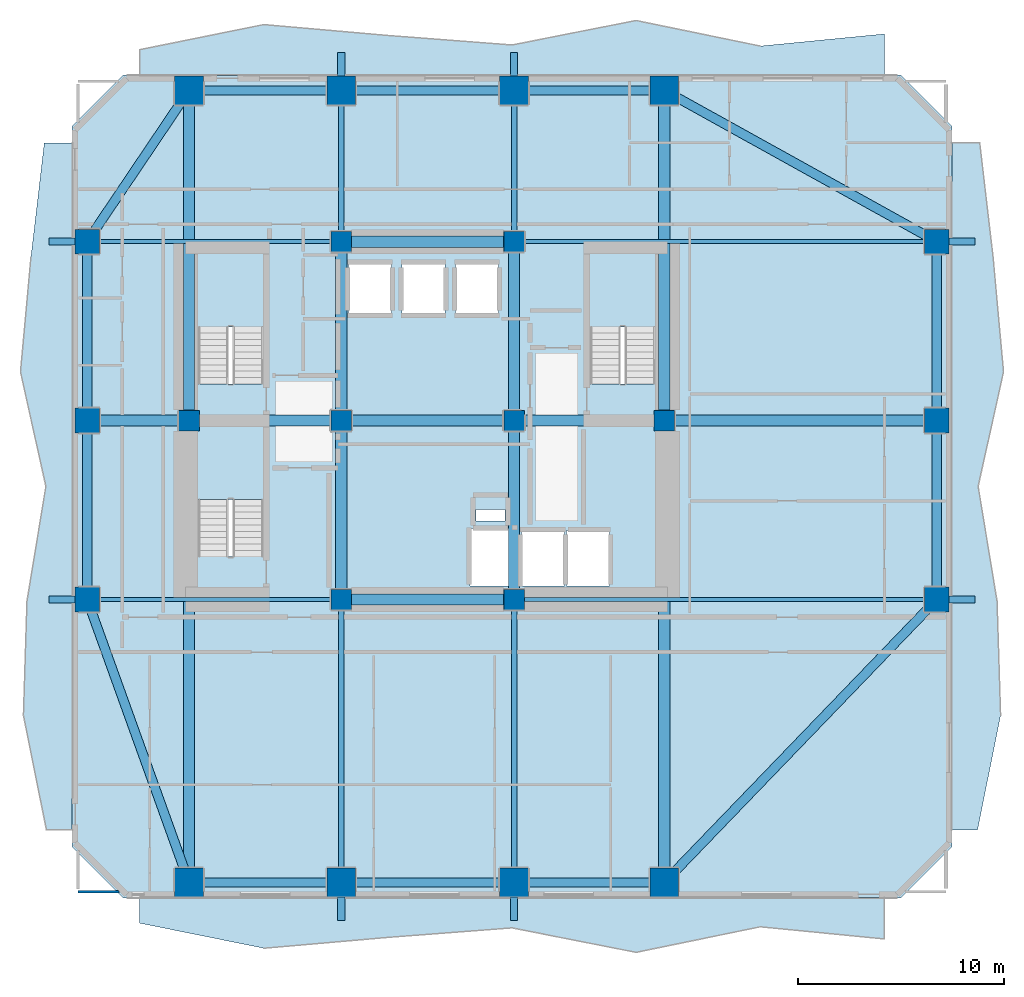
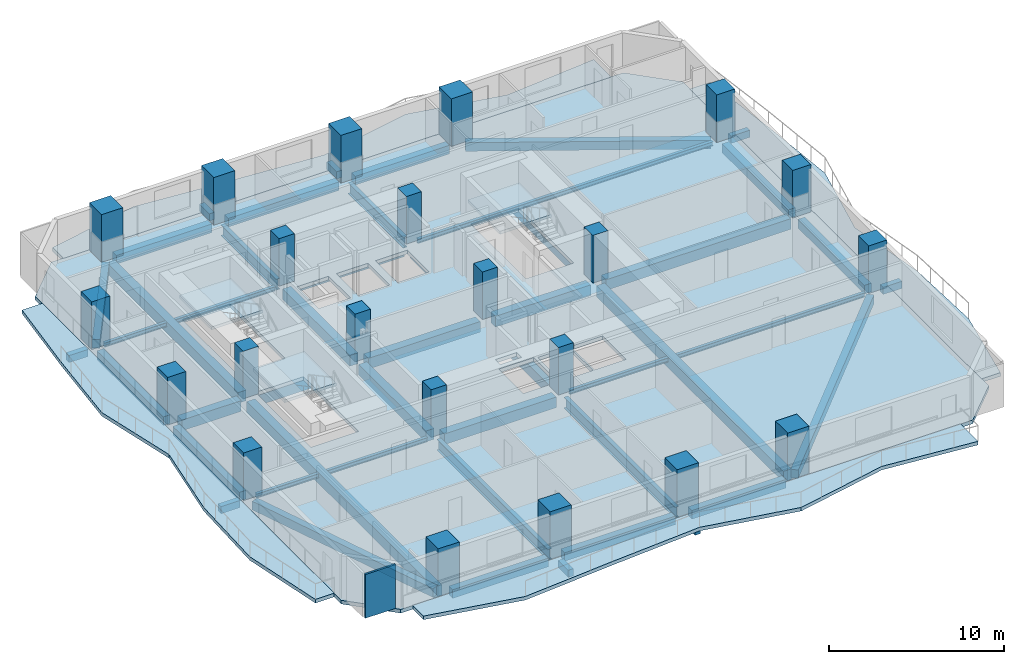
# One storey, part 1 of 9: 45 beams, 22 columns, 8 slabs, 1 wall, 3 elements without a shape of their own.
"""IFC4 building model written with IfcOpenShell, lengths in metres."""

from ifc_helpers import new_model, si_unit, direction, frame, frame_2d, origin, origin_2d, place, context, subcontext, project, spatial, polyline, rectangle, i_section, outline, extrude, material, layer, layer_set, material_profile, profile_set, type_object, element, aggregate, save


model = new_model("IFC4")

# Units and contexts
model_context = context("Model", 3, precision=1e-05, world=origin(), true_north=direction((0.0, 1.0)))
body_context = subcontext(model_context, "Body", "Model", "MODEL_VIEW")
ifc_project = project(units=[si_unit("LENGTHUNIT", "METRE"), si_unit("AREAUNIT", "SQUARE_METRE"), si_unit("VOLUMEUNIT", "CUBIC_METRE"), si_unit("PLANEANGLEUNIT", "RADIAN"), si_unit("MASSUNIT", "GRAM", prefix="KILO")], contexts=[model_context])

# Site, building, storey
site_placement = place(None, origin())
site = spatial("IfcSite", under=ifc_project, at=site_placement, CompositionType="ELEMENT")
building_placement = place(site_placement, origin())
building = spatial("IfcBuilding", under=site, at=building_placement, Name="Solanera Arch Residences", CompositionType="ELEMENT")
storey_placement = place(building_placement, frame((0.0, 0.0, 55.199951171875)))
storey = spatial("IfcBuildingStorey", under=building, at=storey_placement, Name="L15", CompositionType="ELEMENT", Elevation=55.199951171875)

# Columns
ifc_material_1 = material(Name="Concrete C55/67 (f'c = 60 MPa)", Category="concrete")
ifc_material_profile_1 = material_profile(ifc_material_1, rectangle(XDim=1.0, YDim=1.0, at=origin_2d()))
ifc_profile_set_1 = profile_set([ifc_material_profile_1], Name="Concrete C55/67 (f'c = 60 MPa)")
column_type_1 = type_object("IfcColumnType", Name="Structural Column RC-COL-1000X1000", PredefinedType="COLUMN", material=ifc_profile_set_1)
for number, where, z_axis, x_axis, name in (
    (1, (20.800048828125, 22.0, 0.0), (0.0, 0.0, 1.0), (1.0, 0.0, 0.0), "COL-L15-CB-SW"),
    (2, (29.199951171875, 22.0, 0.0), (0.0, 0.0, 1.0), (1.0, 0.0, 0.0), "COL-L15-CB-SE"),
    (3, (20.800048828125, 39.39990234375, 0.0), (0.0, 0.0, 1.0), (1.0, 0.0, 0.0), "COL-L15-CB-NW"),
    (4, (29.199951171875, 39.39990234375, 0.0), (0.0, 0.0, 1.0), (1.0, 0.0, 0.0), "COL-L15-CB-NE"),
    (5, (13.39990234375, 30.699951171875, 0.0), (0.0, 0.0, 1.0), (1.0, 0.0, 0.0), "COL-L15-CB-WW"),
    (6, (36.5, 30.699951171875, 0.0), (0.0, 0.0, 1.0), (1.0, 0.0, 0.0), "COL-L15-CB-EE"),
    (7, (20.800048828125, 30.699951171875, 0.0), (0.0, 0.0, 1.0), (1.0, 0.0, 0.0), "COL-L15-CORE-W"),
    (8, (29.199951171875, 30.699951171875, 0.0), (0.0, 0.0, 1.0), (1.0, 0.0, 0.0), "COL-L15-CORE-E"),
):
    element("IfcColumn", number, at=place(storey_placement, frame(where, z_axis=z_axis, x_axis=x_axis)), inside=storey, type_object=column_type_1, Name=name, PredefinedType="COLUMN", context=body_context, shape_type="SweptSolid", body=[
        extrude(rectangle(XDim=1.0, YDim=1.0, at=origin_2d()), origin(), (0.0, 0.0, 1.0), 3.320068359375),
    ])
ifc_material_2 = material(Name="Concrete C55/67 (f'c = 60 MPa)", Category="concrete")
ifc_material_profile_2 = material_profile(ifc_material_2, rectangle(XDim=1.199951171875, YDim=1.199951171875, at=origin_2d()))
ifc_profile_set_2 = profile_set([ifc_material_profile_2], Name="Concrete C55/67 (f'c = 60 MPa)")
column_type_2 = type_object("IfcColumnType", Name="Structural Column RC-COL-1200X1200", PredefinedType="COLUMN", material=ifc_profile_set_2)
for number, where, z_axis, x_axis, name in (
    (9, (8.449951171875, 22.0, 0.0), (0.0, 0.0, 1.0), (1.0, 0.0, 0.0), "COL-L15-TWR-09"),
    (10, (49.75, 22.0, 0.0), (0.0, 0.0, 1.0), (1.0, 0.0, 0.0), "COL-L15-TWR-10"),
    (11, (8.449951171875, 30.699951171875, 0.0), (0.0, 0.0, 1.0), (1.0, 0.0, 0.0), "COL-L15-TWR-11"),
    (12, (49.75, 30.699951171875, 0.0), (0.0, 0.0, 1.0), (1.0, 0.0, 0.0), "COL-L15-TWR-12"),
    (13, (8.449951171875, 39.39990234375, 0.0), (0.0, 0.0, 1.0), (1.0, 0.0, 0.0), "COL-L15-TWR-13"),
    (14, (49.75, 39.39990234375, 0.0), (0.0, 0.0, 1.0), (1.0, 0.0, 0.0), "COL-L15-TWR-14"),
):
    element("IfcColumn", number, at=place(storey_placement, frame(where, z_axis=z_axis, x_axis=x_axis)), inside=storey, type_object=column_type_2, Name=name, PredefinedType="COLUMN", context=body_context, shape_type="SweptSolid", body=[
        extrude(rectangle(XDim=1.199951171875, YDim=1.199951171875, at=origin_2d()), origin(), (0.0, 0.0, 1.0), 3.320068359375),
    ])
ifc_material_3 = material(Name="Concrete C55/67 (f'c = 60 MPa)", Category="concrete")
ifc_material_profile_3 = material_profile(ifc_material_3, rectangle(XDim=1.39990234375, YDim=1.39990234375, at=origin_2d()))
ifc_profile_set_3 = profile_set([ifc_material_profile_3], Name="Concrete C55/67 (f'c = 60 MPa)")
column_type_3 = type_object("IfcColumnType", Name="Structural Column RC-COL-1400X1400", PredefinedType="COLUMN", material=ifc_profile_set_3)
for number, where, z_axis, x_axis, name in (
    (15, (13.39990234375, 8.25, 0.0), (0.0, 0.0, 1.0), (1.0, 0.0, 0.0), "COL-L15-TWR-01"),
    (16, (13.39990234375, 46.75, 0.0), (0.0, 0.0, 1.0), (1.0, 0.0, 0.0), "COL-L15-TWR-02"),
    (17, (20.800048828125, 8.25, 0.0), (0.0, 0.0, 1.0), (1.0, 0.0, 0.0), "COL-L15-TWR-03"),
    (18, (20.800048828125, 46.75, 0.0), (0.0, 0.0, 1.0), (1.0, 0.0, 0.0), "COL-L15-TWR-04"),
    (19, (29.199951171875, 8.25, 0.0), (0.0, 0.0, 1.0), (1.0, 0.0, 0.0), "COL-L15-TWR-05"),
    (20, (29.199951171875, 46.75, 0.0), (0.0, 0.0, 1.0), (1.0, 0.0, 0.0), "COL-L15-TWR-06"),
    (21, (36.5, 8.25, 0.0), (0.0, 0.0, 1.0), (1.0, 0.0, 0.0), "COL-L15-TWR-07"),
    (22, (36.5, 46.75, 0.0), (0.0, 0.0, 1.0), (1.0, 0.0, 0.0), "COL-L15-TWR-08"),
):
    element("IfcColumn", number, at=place(storey_placement, frame(where, z_axis=z_axis, x_axis=x_axis)), inside=storey, type_object=column_type_3, Name=name, PredefinedType="COLUMN", context=body_context, shape_type="SweptSolid", body=[
        extrude(rectangle(XDim=1.39990234375, YDim=1.39990234375, at=origin_2d()), origin(), (0.0, 0.0, 1.0), 3.320068359375),
    ])

# Beams
ifc_material_4 = material(Name="Concrete C40/50 (f'c = 45 MPa)", Category="concrete")
ifc_material_profile_4 = material_profile(ifc_material_4, rectangle(XDim=0.35009765625, YDim=0.5, at=origin_2d()))
ifc_profile_set_4 = profile_set([ifc_material_profile_4], Name="Concrete C40/50 (f'c = 45 MPa)")
beam_type_1 = type_object("IfcBeamType", Name="BM-BALC-RIB", PredefinedType="BEAM", material=ifc_profile_set_4)
for number, where, z_axis, x_axis, name in (
    (23, (20.800048828125, 6.39990234375, -0.5), (0.0, 1.0, 0.0), (-1.0, 0.0, 0.0), "BM-L15-BRIB-S1"),
    (24, (29.199951171875, 6.39990234375, -0.5), (0.0, 1.0, 0.0), (-1.0, 0.0, 0.0), "BM-L15-BRIB-S2"),
    (25, (20.800048828125, 47.449951171875, -0.5), (0.0, 1.0, 0.0), (-1.0, 0.0, 0.0), "BM-L15-BRIB-N1"),
    (26, (29.199951171875, 47.449951171875, -0.5), (0.0, 1.0, 0.0), (-1.0, 0.0, 0.0), "BM-L15-BRIB-N2"),
):
    element("IfcBeam", number, at=place(storey_placement, frame(where, z_axis=z_axis, x_axis=x_axis)), inside=storey, type_object=beam_type_1, Name=name, PredefinedType="BEAM", context=body_context, shape_type="SweptSolid", body=[
        extrude(rectangle(XDim=0.35009765625, YDim=0.5, at=origin_2d()), origin(), (0.0, 0.0, 1.0), 1.150146484375),
    ])
for number, where, z_axis, x_axis, name in (
    (27, (50.35009765625, 22.0, -0.5), (1.0, 0.0, 0.0), (0.0, 1.0, 0.0), "BM-L15-BRIB-E1"),
    (28, (50.35009765625, 39.39990234375, -0.5), (1.0, 0.0, 0.0), (0.0, 1.0, 0.0), "BM-L15-BRIB-E2"),
    (29, (6.60009765625, 22.0, -0.5), (1.0, 0.0, 0.0), (0.0, 1.0, 0.0), "BM-L15-BRIB-W1"),
    (30, (6.60009765625, 39.39990234375, -0.5), (1.0, 0.0, 0.0), (0.0, 1.0, 0.0), "BM-L15-BRIB-W2"),
):
    element("IfcBeam", number, at=place(storey_placement, frame(where, z_axis=z_axis, x_axis=x_axis)), inside=storey, type_object=beam_type_1, Name=name, PredefinedType="BEAM", context=body_context, shape_type="SweptSolid", body=[
        extrude(rectangle(XDim=0.35009765625, YDim=0.5, at=origin_2d()), origin(), (0.0, 0.0, 1.0), 1.25),
    ])
ifc_material_5 = material(Name="Concrete C40/50 (f'c = 45 MPa)", Category="concrete")
ifc_material_profile_5 = material_profile(ifc_material_5, rectangle(XDim=0.550048828125, YDim=0.75, at=origin_2d()))
ifc_profile_set_5 = profile_set([ifc_material_profile_5], Name="Concrete C40/50 (f'c = 45 MPa)")
beam_type_2 = type_object("IfcBeamType", Name="Primary Beam RC-BM-550X750", PredefinedType="BEAM", material=ifc_profile_set_5)
beam_1_placement = place(storey_placement, frame((20.800048828125, 22.50390625, -0.635009765625), z_axis=(0.0, 1.0, 0.0), x_axis=(-1.0, 0.0, 0.0)))
element("IfcBeam", 31, at=beam_1_placement, inside=storey, type_object=beam_type_2, Name="BM-L15-CC-S-208", PredefinedType="BEAM", context=body_context, shape_type="SweptSolid", body=[
    extrude(rectangle(XDim=0.550048828125, YDim=0.75, at=origin_2d()), origin(), (0.0, 0.0, 1.0), 7.692138671875),
])
beam_2_placement = place(storey_placement, frame((20.800048828125, 31.2041015625, -0.635009765625), z_axis=(0.0, 1.0, 0.0), x_axis=(-1.0, 0.0, 0.0)))
element("IfcBeam", 32, at=beam_2_placement, inside=storey, type_object=beam_type_2, Name="BM-L15-CC-N-208", PredefinedType="BEAM", context=body_context, shape_type="SweptSolid", body=[
    extrude(rectangle(XDim=0.550048828125, YDim=0.75, at=origin_2d()), origin(), (0.0, 0.0, 1.0), 7.69189453125),
])
beam_3_placement = place(storey_placement, frame((29.199951171875, 22.50390625, -0.635009765625), z_axis=(0.0, 1.0, 0.0), x_axis=(-1.0, 0.0, 0.0)))
element("IfcBeam", 33, at=beam_3_placement, inside=storey, type_object=beam_type_2, Name="BM-L15-CC-S-292", PredefinedType="BEAM", context=body_context, shape_type="SweptSolid", body=[
    extrude(rectangle(XDim=0.550048828125, YDim=0.75, at=origin_2d()), origin(), (0.0, 0.0, 1.0), 7.692138671875),
])
beam_4_placement = place(storey_placement, frame((29.199951171875, 31.2041015625, -0.635009765625), z_axis=(0.0, 1.0, 0.0), x_axis=(-1.0, 0.0, 0.0)))
element("IfcBeam", 34, at=beam_4_placement, inside=storey, type_object=beam_type_2, Name="BM-L15-CC-N-292", PredefinedType="BEAM", context=body_context, shape_type="SweptSolid", body=[
    extrude(rectangle(XDim=0.550048828125, YDim=0.75, at=origin_2d()), origin(), (0.0, 0.0, 1.0), 7.69189453125),
])
for number, where, z_axis, x_axis, name in (
    (35, (21.303955078125, 22.0, -0.635009765625), (1.0, 0.0, 0.0), (0.0, 1.0, 0.0), "BM-L15-CC-M-220"),
    (36, (21.303955078125, 30.699951171875, -0.635009765625), (1.0, 0.0, 0.0), (0.0, 1.0, 0.0), "BM-L15-CC-M-307"),
    (37, (21.303955078125, 39.39990234375, -0.635009765625), (1.0, 0.0, 0.0), (0.0, 1.0, 0.0), "BM-L15-CC-M-394"),
):
    element("IfcBeam", number, at=place(storey_placement, frame(where, z_axis=z_axis, x_axis=x_axis)), inside=storey, type_object=beam_type_2, Name=name, PredefinedType="BEAM", context=body_context, shape_type="SweptSolid", body=[
        extrude(rectangle(XDim=0.550048828125, YDim=0.75, at=origin_2d()), origin(), (0.0, 0.0, 1.0), 7.39208984375),
    ])
beam_5_placement = place(storey_placement, frame((13.904052734375, 30.699951171875, -0.635009765625), z_axis=(1.0, 0.0, 0.0), x_axis=(0.0, 1.0, 0.0)))
element("IfcBeam", 38, at=beam_5_placement, inside=storey, type_object=beam_type_2, Name="BM-L15-CC-W", PredefinedType="BEAM", context=body_context, shape_type="SweptSolid", body=[
    extrude(rectangle(XDim=0.550048828125, YDim=0.75, at=origin_2d()), origin(), (0.0, 0.0, 1.0), 6.391845703125),
])
beam_6_placement = place(storey_placement, frame((29.7041015625, 30.699951171875, -0.635009765625), z_axis=(1.0, 0.0, 0.0), x_axis=(0.0, 1.0, 0.0)))
element("IfcBeam", 39, at=beam_6_placement, inside=storey, type_object=beam_type_2, Name="BM-L15-CC-E", PredefinedType="BEAM", context=body_context, shape_type="SweptSolid", body=[
    extrude(rectangle(XDim=0.550048828125, YDim=0.75, at=origin_2d()), origin(), (0.0, 0.0, 1.0), 6.2919921875),
])
beam_7_placement = place(storey_placement, frame((13.39990234375, 8.7900390625, -0.635009765625), z_axis=(0.0, 1.0, 0.0), x_axis=(-1.0, 0.0, 0.0)))
element("IfcBeam", 40, at=beam_7_placement, inside=storey, type_object=beam_type_2, Name="BM-L15-RAD-OS-134", PredefinedType="BEAM", context=body_context, shape_type="SweptSolid", body=[
    extrude(rectangle(XDim=0.550048828125, YDim=0.75, at=origin_2d()), origin(), (0.0, 0.0, 1.0), 21.406005859375),
])
beam_8_placement = place(storey_placement, frame((13.39990234375, 31.2041015625, -0.635009765625), z_axis=(0.0, 1.0, 0.0), x_axis=(-1.0, 0.0, 0.0)))
element("IfcBeam", 41, at=beam_8_placement, inside=storey, type_object=beam_type_2, Name="BM-L15-RAD-ON-134", PredefinedType="BEAM", context=body_context, shape_type="SweptSolid", body=[
    extrude(rectangle(XDim=0.550048828125, YDim=0.75, at=origin_2d()), origin(), (0.0, 0.0, 1.0), 15.005859375),
])
beam_9_placement = place(storey_placement, frame((36.5, 8.7900390625, -0.635009765625), z_axis=(0.0, 1.0, 0.0), x_axis=(-1.0, 0.0, 0.0)))
element("IfcBeam", 42, at=beam_9_placement, inside=storey, type_object=beam_type_2, Name="BM-L15-RAD-OS-365", PredefinedType="BEAM", context=body_context, shape_type="SweptSolid", body=[
    extrude(rectangle(XDim=0.550048828125, YDim=0.75, at=origin_2d()), origin(), (0.0, 0.0, 1.0), 21.406005859375),
])
beam_10_placement = place(storey_placement, frame((36.5, 31.2041015625, -0.635009765625), z_axis=(0.0, 1.0, 0.0), x_axis=(-1.0, 0.0, 0.0)))
element("IfcBeam", 43, at=beam_10_placement, inside=storey, type_object=beam_type_2, Name="BM-L15-RAD-ON-365", PredefinedType="BEAM", context=body_context, shape_type="SweptSolid", body=[
    extrude(rectangle(XDim=0.550048828125, YDim=0.75, at=origin_2d()), origin(), (0.0, 0.0, 1.0), 15.005859375),
])
beam_11_placement = place(storey_placement, frame((8.989990234375, 30.699951171875, -0.635009765625), z_axis=(1.0, 0.0, 0.0), x_axis=(0.0, 1.0, 0.0)))
element("IfcBeam", 44, at=beam_11_placement, inside=storey, type_object=beam_type_2, Name="BM-L15-RAD-MW", PredefinedType="BEAM", context=body_context, shape_type="SweptSolid", body=[
    extrude(rectangle(XDim=0.550048828125, YDim=0.75, at=origin_2d()), origin(), (0.0, 0.0, 1.0), 3.906005859375),
])
beam_12_placement = place(storey_placement, frame((37.00390625, 30.699951171875, -0.635009765625), z_axis=(1.0, 0.0, 0.0), x_axis=(0.0, 1.0, 0.0)))
element("IfcBeam", 45, at=beam_12_placement, inside=storey, type_object=beam_type_2, Name="BM-L15-RAD-ME", PredefinedType="BEAM", context=body_context, shape_type="SweptSolid", body=[
    extrude(rectangle(XDim=0.550048828125, YDim=0.75, at=origin_2d()), origin(), (0.0, 0.0, 1.0), 12.2060546875),
])
ifc_material_6 = material(Name="Steel S355 (ASTM A992 / A572 Grade 50)", Category="steel")
ifc_material_profile_6 = material_profile(ifc_material_6, i_section(OverallWidth=0.26806640625, OverallDepth=0.77001953125, WebThickness=0.015625, FlangeThickness=0.025390625, at=origin_2d()))
ifc_profile_set_6 = profile_set([ifc_material_profile_6], Name="Steel S355 (ASTM A992 / A572 Grade 50)")
beam_type_3 = type_object("IfcBeamType", Name="Primary Beam W760X196", PredefinedType="BEAM", material=ifc_profile_set_6)
beam_13_placement = place(storey_placement, frame((20.800048828125, 8.7900390625, -0.64501953125), z_axis=(0.0, 1.0, 0.0), x_axis=(-1.0, 0.0, 0.0)))
element("IfcBeam", 46, at=beam_13_placement, inside=storey, type_object=beam_type_3, Name="BM-L15-RAD-S-208", PredefinedType="BEAM", context=body_context, shape_type="SweptSolid", body=[
    extrude(i_section(OverallWidth=0.26806640625, OverallDepth=0.77001953125, WebThickness=0.015625, FlangeThickness=0.025390625, at=origin_2d()), origin(), (0.0, 0.0, 1.0), 12.7060546875),
])
beam_14_placement = place(storey_placement, frame((20.800048828125, 39.904052734375, -0.64501953125), z_axis=(0.0, 1.0, 0.0), x_axis=(-1.0, 0.0, 0.0)))
element("IfcBeam", 47, at=beam_14_placement, inside=storey, type_object=beam_type_3, Name="BM-L15-RAD-N-208", PredefinedType="BEAM", context=body_context, shape_type="SweptSolid", body=[
    extrude(i_section(OverallWidth=0.26806640625, OverallDepth=0.77001953125, WebThickness=0.015625, FlangeThickness=0.025390625, at=origin_2d()), origin(), (0.0, 0.0, 1.0), 6.305908203125),
])
beam_15_placement = place(storey_placement, frame((29.199951171875, 8.7900390625, -0.64501953125), z_axis=(0.0, 1.0, 0.0), x_axis=(-1.0, 0.0, 0.0)))
element("IfcBeam", 48, at=beam_15_placement, inside=storey, type_object=beam_type_3, Name="BM-L15-RAD-S-292", PredefinedType="BEAM", context=body_context, shape_type="SweptSolid", body=[
    extrude(i_section(OverallWidth=0.26806640625, OverallDepth=0.77001953125, WebThickness=0.015625, FlangeThickness=0.025390625, at=origin_2d()), origin(), (0.0, 0.0, 1.0), 12.7060546875),
])
beam_16_placement = place(storey_placement, frame((29.199951171875, 39.904052734375, -0.64501953125), z_axis=(0.0, 1.0, 0.0), x_axis=(-1.0, 0.0, 0.0)))
element("IfcBeam", 49, at=beam_16_placement, inside=storey, type_object=beam_type_3, Name="BM-L15-RAD-N-292", PredefinedType="BEAM", context=body_context, shape_type="SweptSolid", body=[
    extrude(i_section(OverallWidth=0.26806640625, OverallDepth=0.77001953125, WebThickness=0.015625, FlangeThickness=0.025390625, at=origin_2d()), origin(), (0.0, 0.0, 1.0), 6.305908203125),
])
ifc_material_7 = material(Name="Steel S355 (ASTM A992 / A572 Grade 50)", Category="steel")
ifc_material_profile_7 = material_profile(ifc_material_7, i_section(OverallWidth=0.202880859375, OverallDepth=0.302978515625, WebThickness=0.007568359375, FlangeThickness=0.01318359375, at=origin_2d()))
ifc_profile_set_7 = profile_set([ifc_material_profile_7], Name="Steel S355 (ASTM A992 / A572 Grade 50)")
beam_type_4 = type_object("IfcBeamType", Name="Secondary Joist W310X60", PredefinedType="JOIST", material=ifc_profile_set_7)
beam_17_placement = place(storey_placement, frame((8.989990234375, 22.0, -0.411865234375), z_axis=(1.0, 0.0, 0.0), x_axis=(0.0, 1.0, 0.0)))
element("IfcBeam", 50, at=beam_17_placement, inside=storey, type_object=beam_type_4, Name="BM-L15-RAD-W-220", PredefinedType="JOIST", context=body_context, shape_type="SweptSolid", body=[
    extrude(i_section(OverallWidth=0.202880859375, OverallDepth=0.302978515625, WebThickness=0.007568359375, FlangeThickness=0.01318359375, at=origin_2d()), origin(), (0.0, 0.0, 1.0), 11.305908203125),
])
beam_18_placement = place(storey_placement, frame((29.7041015625, 22.0, -0.411865234375), z_axis=(1.0, 0.0, 0.0), x_axis=(0.0, 1.0, 0.0)))
element("IfcBeam", 51, at=beam_18_placement, inside=storey, type_object=beam_type_4, Name="BM-L15-RAD-E-220", PredefinedType="JOIST", context=body_context, shape_type="SweptSolid", body=[
    extrude(i_section(OverallWidth=0.202880859375, OverallDepth=0.302978515625, WebThickness=0.007568359375, FlangeThickness=0.01318359375, at=origin_2d()), origin(), (0.0, 0.0, 1.0), 19.505859375),
])
beam_19_placement = place(storey_placement, frame((8.989990234375, 39.39990234375, -0.411865234375), z_axis=(1.0, 0.0, 0.0), x_axis=(0.0, 1.0, 0.0)))
element("IfcBeam", 52, at=beam_19_placement, inside=storey, type_object=beam_type_4, Name="BM-L15-RAD-W-394", PredefinedType="JOIST", context=body_context, shape_type="SweptSolid", body=[
    extrude(i_section(OverallWidth=0.202880859375, OverallDepth=0.302978515625, WebThickness=0.007568359375, FlangeThickness=0.01318359375, at=origin_2d()), origin(), (0.0, 0.0, 1.0), 11.305908203125),
])
beam_20_placement = place(storey_placement, frame((29.7041015625, 39.39990234375, -0.411865234375), z_axis=(1.0, 0.0, 0.0), x_axis=(0.0, 1.0, 0.0)))
element("IfcBeam", 53, at=beam_20_placement, inside=storey, type_object=beam_type_4, Name="BM-L15-RAD-E-394", PredefinedType="JOIST", context=body_context, shape_type="SweptSolid", body=[
    extrude(i_section(OverallWidth=0.202880859375, OverallDepth=0.302978515625, WebThickness=0.007568359375, FlangeThickness=0.01318359375, at=origin_2d()), origin(), (0.0, 0.0, 1.0), 19.505859375),
])
ifc_material_8 = material(Name="Concrete C40/50 (f'c = 45 MPa)", Category="concrete")
ifc_material_profile_8 = material_profile(ifc_material_8, rectangle(XDim=0.449951171875, YDim=0.60009765625, at=origin_2d()))
ifc_profile_set_8 = profile_set([ifc_material_profile_8], Name="Concrete C40/50 (f'c = 45 MPa)")
beam_type_5 = type_object("IfcBeamType", Name="Spandrel Beam RC-BM-450X600", PredefinedType="SPANDREL", material=ifc_profile_set_8)
for number, where, z_axis, x_axis, name in (
    (54, (13.93994140625, 8.25, -0.56005859375), (1.0, 0.0, 0.0), (0.0, 1.0, 0.0), "BM-L15-SPN-S-1"),
    (55, (13.93994140625, 46.75, -0.56005859375), (1.0, 0.0, 0.0), (0.0, 1.0, 0.0), "BM-L15-SPN-N-1"),
):
    element("IfcBeam", number, at=place(storey_placement, frame(where, z_axis=z_axis, x_axis=x_axis)), inside=storey, type_object=beam_type_5, Name=name, PredefinedType="SPANDREL", context=body_context, shape_type="SweptSolid", body=[
        extrude(rectangle(XDim=0.449951171875, YDim=0.60009765625, at=origin_2d()), origin(), (0.0, 0.0, 1.0), 6.320068359375),
    ])
for number, where, z_axis, x_axis, name in (
    (56, (21.340087890625, 8.25, -0.56005859375), (1.0, 0.0, 0.0), (0.0, 1.0, 0.0), "BM-L15-SPN-S-2"),
    (57, (21.340087890625, 46.75, -0.56005859375), (1.0, 0.0, 0.0), (0.0, 1.0, 0.0), "BM-L15-SPN-N-2"),
):
    element("IfcBeam", number, at=place(storey_placement, frame(where, z_axis=z_axis, x_axis=x_axis)), inside=storey, type_object=beam_type_5, Name=name, PredefinedType="SPANDREL", context=body_context, shape_type="SweptSolid", body=[
        extrude(rectangle(XDim=0.449951171875, YDim=0.60009765625, at=origin_2d()), origin(), (0.0, 0.0, 1.0), 7.31982421875),
    ])
for number, where, z_axis, x_axis, name in (
    (58, (29.739990234375, 8.25, -0.56005859375), (1.0, 0.0, 0.0), (0.0, 1.0, 0.0), "BM-L15-SPN-S-3"),
    (59, (29.739990234375, 46.75, -0.56005859375), (1.0, 0.0, 0.0), (0.0, 1.0, 0.0), "BM-L15-SPN-N-3"),
):
    element("IfcBeam", number, at=place(storey_placement, frame(where, z_axis=z_axis, x_axis=x_axis)), inside=storey, type_object=beam_type_5, Name=name, PredefinedType="SPANDREL", context=body_context, shape_type="SweptSolid", body=[
        extrude(rectangle(XDim=0.449951171875, YDim=0.60009765625, at=origin_2d()), origin(), (0.0, 0.0, 1.0), 6.219970703125),
    ])
for number, where, z_axis, x_axis, name in (
    (60, (8.449951171875, 22.5400390625, -0.56005859375), (0.0, 1.0, 0.0), (-1.0, 0.0, 0.0), "BM-L15-SPN-W-1"),
    (61, (49.75, 22.5400390625, -0.56005859375), (0.0, 1.0, 0.0), (-1.0, 0.0, 0.0), "BM-L15-SPN-E-1"),
):
    element("IfcBeam", number, at=place(storey_placement, frame(where, z_axis=z_axis, x_axis=x_axis)), inside=storey, type_object=beam_type_5, Name=name, PredefinedType="SPANDREL", context=body_context, shape_type="SweptSolid", body=[
        extrude(rectangle(XDim=0.449951171875, YDim=0.60009765625, at=origin_2d()), origin(), (0.0, 0.0, 1.0), 7.619873046875),
    ])
for number, where, z_axis, x_axis, name in (
    (62, (8.449951171875, 31.239990234375, -0.56005859375), (0.0, 1.0, 0.0), (-1.0, 0.0, 0.0), "BM-L15-SPN-W-2"),
    (63, (49.75, 31.239990234375, -0.56005859375), (0.0, 1.0, 0.0), (-1.0, 0.0, 0.0), "BM-L15-SPN-E-2"),
):
    element("IfcBeam", number, at=place(storey_placement, frame(where, z_axis=z_axis, x_axis=x_axis)), inside=storey, type_object=beam_type_5, Name=name, PredefinedType="SPANDREL", context=body_context, shape_type="SweptSolid", body=[
        extrude(rectangle(XDim=0.449951171875, YDim=0.60009765625, at=origin_2d()), origin(), (0.0, 0.0, 1.0), 7.6201171875),
    ])
beam_21_placement = place(storey_placement, frame((13.217041015625, 8.758056640625, -0.56005859375), z_axis=(-0.338705414976, 0.940892470937, 0.0), x_axis=(-0.940892470937, -0.338705414976, 0.0)))
element("IfcBeam", 64, at=beam_21_placement, inside=storey, type_object=beam_type_5, Name="BM-L15-SPN-SW", PredefinedType="SPANDREL", context=body_context, shape_type="SweptSolid", body=[
    extrude(rectangle(XDim=0.449951171875, YDim=0.60009765625, at=origin_2d()), origin(), (0.0, 0.0, 1.0), 13.533935546875),
])
beam_22_placement = place(storey_placement, frame((13.097900390625, 46.302001953125, -0.56005859375), z_axis=(-0.558539143669, -0.829478164263, 0.0), x_axis=(0.829478164263, -0.558539143669, 0.0)))
element("IfcBeam", 65, at=beam_22_placement, inside=storey, type_object=beam_type_5, Name="BM-L15-SPN-NW", PredefinedType="SPANDREL", context=body_context, shape_type="SweptSolid", body=[
    extrude(rectangle(XDim=0.449951171875, YDim=0.60009765625, at=origin_2d()), origin(), (0.0, 0.0, 1.0), 7.781005859375),
])
beam_23_placement = place(storey_placement, frame((36.875, 8.638916015625, -0.56005859375), z_axis=(0.69388020893, 0.720090449635, 0.0), x_axis=(-0.720090449635, 0.69388020893, 0.0)))
element("IfcBeam", 66, at=beam_23_placement, inside=storey, type_object=beam_type_5, Name="BM-L15-SPN-SE", PredefinedType="SPANDREL", context=body_context, shape_type="SweptSolid", body=[
    extrude(rectangle(XDim=0.449951171875, YDim=0.60009765625, at=origin_2d()), origin(), (0.0, 0.0, 1.0), 18.0146484375),
])
beam_24_placement = place(storey_placement, frame((36.971923828125, 46.488037109375, -0.56005859375), z_axis=(0.874483596047, -0.485055089907, 0.0), x_axis=(0.485055089907, 0.874483596047, 0.0)))
element("IfcBeam", 67, at=beam_24_placement, inside=storey, type_object=beam_type_5, Name="BM-L15-SPN-NE", PredefinedType="SPANDREL", context=body_context, shape_type="SweptSolid", body=[
    extrude(rectangle(XDim=0.449951171875, YDim=0.60009765625, at=origin_2d()), origin(), (0.0, 0.0, 1.0), 14.072509765625),
])

# Slabs
ifc_material_9 = material(Name="Concrete C40/50 (f'c = 45 MPa)", Category="concrete")
ifc_layer_1 = layer(ifc_material_9, 0.25)
ifc_layer_set_1 = layer_set([ifc_layer_1], Name="Concrete C40/50 (f'c = 45 MPa)")
slab_type_1 = type_object("IfcSlabType", Name="Balcony Slab 250", PredefinedType="FLOOR", material=ifc_layer_set_1)
slab_1_placement = place(storey_placement, frame((0.0, 0.0, -0.25)))
element("IfcSlab", 68, at=slab_1_placement, inside=storey, type_object=slab_type_1, Name="L15 S Rippling Brise-Soleil Balcony Slab", PredefinedType="FLOOR", context=body_context, shape_type="SweptSolid", body=[
    extrude(outline(polyline([(11.0, 6.27001953125), (17.032958984375, 5.051025390625), (23.06689453125, 5.5791015625), (29.10009765625, 6.0419921875), (35.133056640625, 4.85107421875), (41.1669921875, 6.093994140625), (47.199951171875, 5.50390625), (47.199951171875, 7.52001953125), (11.0, 7.52001953125), (11.0, 6.27001953125)])), origin(), (0.0, 0.0, 1.0), 0.25),
])
slab_2_placement = place(storey_placement, frame((0.0, 0.0, -0.25)))
element("IfcSlab", 69, at=slab_2_placement, inside=storey, type_object=slab_type_1, Name="L15 N Rippling Brise-Soleil Balcony Slab", PredefinedType="FLOOR", context=body_context, shape_type="SweptSolid", body=[
    extrude(outline(polyline([(47.199951171875, 49.49609375), (41.1669921875, 48.906005859375), (35.133056640625, 50.14892578125), (29.10009765625, 48.9580078125), (23.06689453125, 49.4208984375), (17.032958984375, 49.948974609375), (11.0, 48.72998046875), (11.0, 47.47998046875), (47.199951171875, 47.47998046875), (47.199951171875, 49.49609375)])), origin(), (0.0, 0.0, 1.0), 0.25),
])
slab_3_placement = place(storey_placement, frame((0.0, 0.0, -0.25)))
element("IfcSlab", 70, at=slab_3_placement, inside=storey, type_object=slab_type_1, Name="L15 E Rippling Brise-Soleil Balcony Slab", PredefinedType="FLOOR", context=body_context, shape_type="SweptSolid", body=[
    extrude(outline(polyline([(51.72998046875, 10.800048828125), (52.85009765625, 16.366943359375), (52.677001953125, 21.93310546875), (51.757080078125, 27.5), (52.991943359375, 33.06689453125), (52.486083984375, 38.633056640625), (51.8349609375, 44.199951171875), (50.47998046875, 44.199951171875), (50.47998046875, 10.800048828125), (51.72998046875, 10.800048828125)])), origin(), (0.0, 0.0, 1.0), 0.25),
])
slab_4_placement = place(storey_placement, frame((0.0, 0.0, -0.25)))
element("IfcSlab", 71, at=slab_4_placement, inside=storey, type_object=slab_type_1, Name="L15 W Rippling Brise-Soleil Balcony Slab", PredefinedType="FLOOR", context=body_context, shape_type="SweptSolid", body=[
    extrude(outline(polyline([(6.364990234375, 44.199951171875), (5.714111328125, 38.633056640625), (5.2080078125, 33.06689453125), (6.443115234375, 27.5), (5.52294921875, 21.93310546875), (5.35009765625, 16.366943359375), (6.469970703125, 10.800048828125), (7.719970703125, 10.800048828125), (7.719970703125, 44.199951171875), (6.364990234375, 44.199951171875)])), origin(), (0.0, 0.0, 1.0), 0.25),
])

# Stair, slab
ifc_material_10 = material(Name="Concrete C40/50 (f'c = 45 MPa)", Category="concrete")
stair_type = type_object("IfcStairType", Name="Tower Dogleg Exit Stair 1480", PredefinedType="HALF_TURN_STAIR", material=ifc_material_10)
stair_1_placement = place(storey_placement, origin())
stair_1 = element("IfcStair", 72, at=stair_1_placement, inside=storey, type_object=stair_type, Name="L15 Tower Core Exit Stair 1", PredefinedType="HALF_TURN_STAIR")
ifc_material_11 = material(Name="Concrete C40/50 (f'c = 45 MPa)", Category="concrete")
ifc_layer_2 = layer(ifc_material_11, 0.199951171875)
ifc_layer_set_2 = layer_set([ifc_layer_2], Name="Concrete C40/50 (f'c = 45 MPa)")
slab_type_2 = type_object("IfcSlabType", Name="Stair Half-Landing Slab 200", PredefinedType="LANDING", material=ifc_layer_set_2)
slab_5_placement = place(storey_placement, frame((0.0, 0.0, 1.4599609375)))
slab_5 = element("IfcSlab", 73, at=slab_5_placement, type_object=slab_type_2, Name="ST-T1 landing 1", PredefinedType="LANDING", context=body_context, shape_type="SweptSolid", body=[
    extrude(outline(polyline([(17.1201171875, 35.260009765625), (17.1201171875, 38.919921875), (13.719970703125, 38.919921875), (13.719970703125, 35.260009765625), (17.1201171875, 35.260009765625)])), origin(), (0.0, 0.0, 1.0), 0.2001953125),
])
aggregate(stair_1, [slab_5])

stair_2_placement = place(storey_placement, origin())
stair_2 = element("IfcStair", 74, at=stair_2_placement, inside=storey, type_object=stair_type, Name="L15 Tower Core Exit Stair 2", PredefinedType="HALF_TURN_STAIR")
slab_6_placement = place(storey_placement, frame((0.0, 0.0, 1.4599609375)))
slab_6 = element("IfcSlab", 75, at=slab_6_placement, type_object=slab_type_2, Name="ST-T2 landing 1", PredefinedType="LANDING", context=body_context, shape_type="SweptSolid", body=[
    extrude(outline(polyline([(36.179931640625, 35.260009765625), (36.179931640625, 38.919921875), (32.780029296875, 38.919921875), (32.780029296875, 35.260009765625), (36.179931640625, 35.260009765625)])), origin(), (0.0, 0.0, 1.0), 0.2001953125),
])
aggregate(stair_2, [slab_6])

stair_3_placement = place(storey_placement, origin())
stair_3 = element("IfcStair", 76, at=stair_3_placement, inside=storey, type_object=stair_type, Name="L15 Tower Core Exit Stair 3", PredefinedType="HALF_TURN_STAIR")
slab_7_placement = place(storey_placement, frame((0.0, 0.0, 1.4599609375)))
slab_7 = element("IfcSlab", 77, at=slab_7_placement, type_object=slab_type_2, Name="ST-T3 landing 1", PredefinedType="LANDING", context=body_context, shape_type="SweptSolid", body=[
    extrude(outline(polyline([(17.1201171875, 26.860107421875), (17.1201171875, 30.52001953125), (13.719970703125, 30.52001953125), (13.719970703125, 26.860107421875), (17.1201171875, 26.860107421875)])), origin(), (0.0, 0.0, 1.0), 0.2001953125),
])
aggregate(stair_3, [slab_7])

# Slab
ifc_material_12 = material(Name="Concrete C40/50 (f'c = 45 MPa)", Category="concrete")
ifc_layer_3 = layer(ifc_material_12, 0.260009765625)
ifc_layer_set_3 = layer_set([ifc_layer_3], Name="Concrete C40/50 (f'c = 45 MPa)")
slab_type_3 = type_object("IfcSlabType", Name="Suspended Floor Slab Post-Tensioned 260", PredefinedType="FLOOR", material=ifc_layer_set_3)
slab_8_placement = place(storey_placement, frame((0.0, 0.0, -0.260009765625)))
element("IfcSlab", 78, at=slab_8_placement, inside=storey, type_object=slab_type_3, Name="L15 Tower Post-Tensioned Floor Slab", PredefinedType="FLOOR", context=body_context, shape_type="SweptSolid", body=[
    extrude(outline(polyline([(10.199951171875, 7.5), (48.0, 7.5), (50.5, 10.0), (50.5, 45.0), (48.0, 47.5), (10.199951171875, 47.5), (7.699951171875, 45.0), (7.699951171875, 10.0), (10.199951171875, 7.5)]), holes=[polyline([(13.840087890625, 32.48291015625), (13.840087890625, 38.800048828125), (17.0, 38.800048828125), (17.0, 32.48291015625), (13.840087890625, 32.48291015625)]), polyline([(32.89990234375, 32.48291015625), (32.89990234375, 38.800048828125), (36.06005859375, 38.800048828125), (36.06005859375, 32.48291015625), (32.89990234375, 32.48291015625)]), polyline([(13.840087890625, 24.0830078125), (13.840087890625, 30.39990234375), (17.0, 30.39990234375), (17.0, 24.0830078125), (13.840087890625, 24.0830078125)]), polyline([(21.14990234375, 38.35009765625), (23.25, 38.35009765625), (23.25, 35.85009765625), (21.14990234375, 35.85009765625), (21.14990234375, 38.35009765625)]), polyline([(23.75, 38.35009765625), (25.85009765625, 38.35009765625), (25.85009765625, 35.85009765625), (23.75, 35.85009765625), (23.75, 38.35009765625)]), polyline([(26.35009765625, 38.35009765625), (28.449951171875, 38.35009765625), (28.449951171875, 35.85009765625), (26.35009765625, 35.85009765625), (26.35009765625, 38.35009765625)]), polyline([(29.550048828125, 25.35009765625), (31.64990234375, 25.35009765625), (31.64990234375, 22.64990234375), (29.550048828125, 22.64990234375), (29.550048828125, 25.35009765625)]), polyline([(31.75, 25.35009765625), (33.85009765625, 25.35009765625), (33.85009765625, 22.64990234375), (31.75, 22.64990234375), (31.75, 25.35009765625)]), polyline([(27.050048828125, 25.449951171875), (29.35009765625, 25.449951171875), (29.35009765625, 22.64990234375), (27.050048828125, 22.64990234375), (27.050048828125, 25.449951171875)]), polyline([(27.340087890625, 26.3798828125), (28.760009765625, 26.3798828125), (28.760009765625, 25.820068359375), (27.340087890625, 25.820068359375), (27.340087890625, 26.3798828125)])]), origin(), (0.0, 0.0, 1.0), 0.260009765625),
])

# Wall
ifc_material_13 = material(Name="Fire-Rated Gypsum Stud Partition", Category="gypsum")
ifc_layer_4 = layer(ifc_material_13, 0.1201171875)
ifc_layer_set_4 = layer_set([ifc_layer_4], Name="Fire-Rated Gypsum Stud Partition")
wall_type = type_object("IfcWallType", Name="Unit Drywall Partition 120", PredefinedType="PARTITIONING", material=ifc_layer_set_4)
wall_placement = place(storey_placement, frame((8.0, 7.800048828125, 0.0), z_axis=(0.0, 0.0, 1.0), x_axis=(1.0, 0.0, 0.0)))
element("IfcWall", 79, at=wall_placement, inside=storey, type_object=wall_type, Name="L15 Interior Partition H19 1", PredefinedType="PARTITIONING", context=body_context, shape_type="SweptSolid", body=[
    extrude(rectangle(XDim=2.0009765625, YDim=0.1201171875, at=frame_2d((1.00048828125, 0.0))), origin(), (0.0, 0.0, 1.0), 3.06005859375),
])

save(model, "model.ifc")
